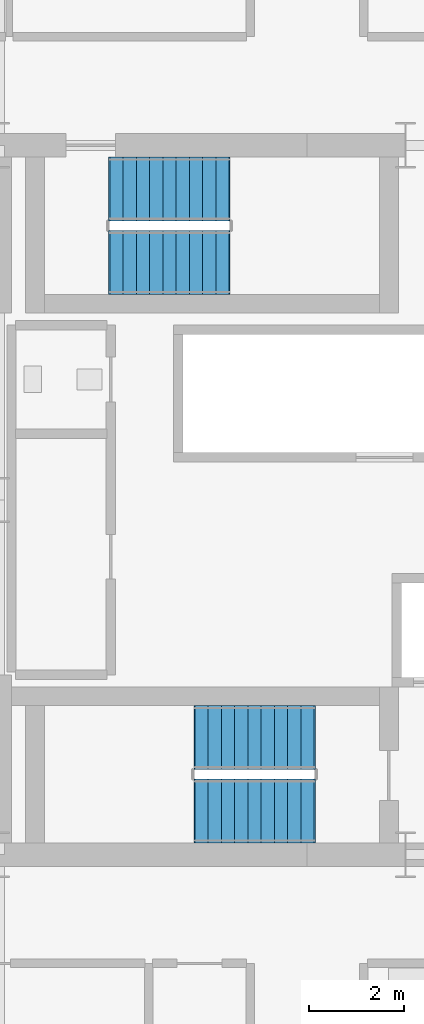
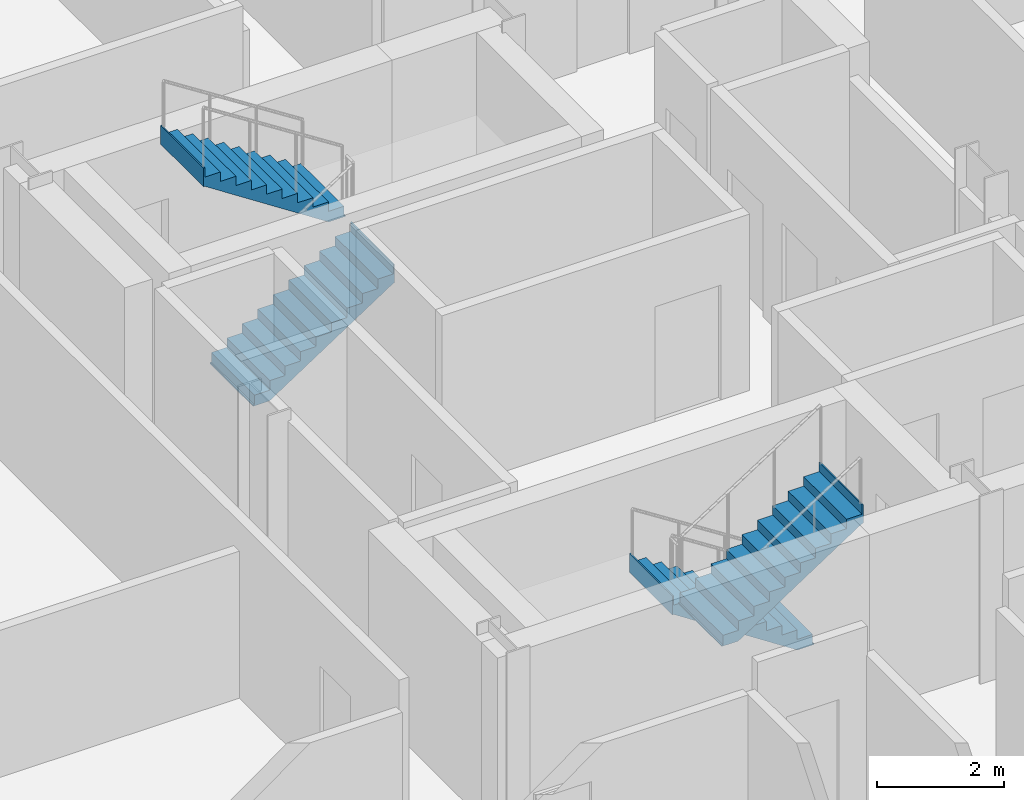
# One storey, part 23 of 25: 4 stair flights, 2 elements without a shape of their own.
"""IFC4 building model written with IfcOpenShell, lengths in metres."""

from ifc_helpers import new_model, si_unit, direction, frame, origin, place, context, subcontext, project, spatial, polyline, outline, extrude, material, type_object, element, aggregate, save


model = new_model("IFC4")

# Units and contexts
model_context = context("Model", 3, precision=1e-05, world=origin(), true_north=direction((0.0, 1.0)))
body_context = subcontext(model_context, "Body", "Model", "MODEL_VIEW")
ifc_project = project(units=[si_unit("LENGTHUNIT", "METRE"), si_unit("AREAUNIT", "SQUARE_METRE"), si_unit("VOLUMEUNIT", "CUBIC_METRE"), si_unit("PLANEANGLEUNIT", "RADIAN"), si_unit("MASSUNIT", "GRAM", prefix="KILO")], contexts=[model_context])

# Site, building, storey
site_placement = place(None, origin())
site = spatial("IfcSite", under=ifc_project, at=site_placement, CompositionType="ELEMENT")
building_placement = place(site_placement, origin())
building = spatial("IfcBuilding", under=site, at=building_placement, Name="Barlavira Tower and Art Museum", CompositionType="ELEMENT")
storey_placement = place(building_placement, frame((0.0, 0.0, 144.0)))
storey = spatial("IfcBuildingStorey", under=building, at=storey_placement, Name="L36", CompositionType="ELEMENT", Elevation=144.0)

# Stair, stair flights
ifc_material_1 = material(Name="Concrete C45", Category="concrete")
stair_type_1 = type_object("IfcStairType", Name="Tower North Dog-Leg Exit Stair Assembly Concrete C45", PredefinedType="TWO_QUARTER_TURN_STAIR", material=ifc_material_1)
stair_1_placement = place(storey_placement, origin())
stair_1 = element("IfcStair", 1, at=stair_1_placement, inside=storey, type_object=stair_type_1, Name="L36 Tower North Exit Stair ST-T2", PredefinedType="TWO_QUARTER_TURN_STAIR")
ifc_material_2 = material(Name="Precast concrete C45", Category="concrete")
stair_flight_type_1 = type_object("IfcStairFlightType", Name="Tower North Dog-Leg Exit Stair Precast Flight 1350 Concrete C45", PredefinedType="STRAIGHT", material=ifc_material_2)
stair_flight_1_placement = place(storey_placement, frame((-4.169921875, 5.02490234375, 0.0), z_axis=(0.0, 0.0, 1.0), x_axis=(1.0, 0.0, 0.0)))
stair_flight_1 = element("IfcStairFlight", 2, at=stair_flight_1_placement, type_object=stair_flight_type_1, Name="ST-T2 flight 1", NumberOfRisers=10, NumberOfTreads=9, PredefinedType="STRAIGHT", RiserHeight=0.18, TreadLength=0.28, context=body_context, shape_type="SweptSolid", body=[
    extrude(outline(polyline([(-0.02490234375, 0.0), (0.0, 0.0), (0.0, 0.179931640625), (0.280029296875, 0.179931640625), (0.280029296875, 0.360107421875), (0.56005859375, 0.360107421875), (0.56005859375, 0.5400390625), (0.840087890625, 0.5400390625), (0.840087890625, 0.719970703125), (1.1201171875, 0.719970703125), (1.1201171875, 0.89990234375), (1.39990234375, 0.89990234375), (1.39990234375, 1.080078125), (1.679931640625, 1.080078125), (1.679931640625, 1.260009765625), (1.9599609375, 1.260009765625), (1.9599609375, 1.43994140625), (2.239990234375, 1.43994140625), (2.239990234375, 1.6201171875), (2.52001953125, 1.6201171875), (2.52001953125, 1.800048828125), (2.544921875, 1.800048828125), (2.544921875, 1.44189453125), (2.52001953125, 1.44189453125), (0.277099609375, -0.02490234375), (-0.02490234375, -0.02490234375), (-0.02490234375, 0.0)])), frame((0.0, 0.675048828125, 0.0), z_axis=(0.0, -1.0, 0.0), x_axis=(1.0, 0.0, 0.0)), (0.0, 0.0, 1.0), 1.35009765625),
])
stair_flight_2_placement = place(storey_placement, frame((-1.64990234375, 6.574951171875, 1.800048828125), z_axis=(0.0, 0.0, 1.0), x_axis=(-1.0, 0.0, 0.0)))
stair_flight_2 = element("IfcStairFlight", 3, at=stair_flight_2_placement, type_object=stair_flight_type_1, Name="ST-T2 flight 2", NumberOfRisers=10, NumberOfTreads=9, PredefinedType="STRAIGHT", RiserHeight=0.18, TreadLength=0.28, context=body_context, shape_type="SweptSolid", body=[
    extrude(outline(polyline([(-0.02490234375, 0.0), (0.0, 0.0), (0.0, 0.179931640625), (0.280029296875, 0.179931640625), (0.280029296875, 0.360107421875), (0.56005859375, 0.360107421875), (0.56005859375, 0.5400390625), (0.840087890625, 0.5400390625), (0.840087890625, 0.719970703125), (1.1201171875, 0.719970703125), (1.1201171875, 0.89990234375), (1.39990234375, 0.89990234375), (1.39990234375, 1.080078125), (1.679931640625, 1.080078125), (1.679931640625, 1.260009765625), (1.9599609375, 1.260009765625), (1.9599609375, 1.43994140625), (2.239990234375, 1.43994140625), (2.239990234375, 1.6201171875), (2.52001953125, 1.6201171875), (2.52001953125, 1.800048828125), (2.544921875, 1.800048828125), (2.544921875, 1.44189453125), (2.52001953125, 1.44189453125), (0.277099609375, -0.02490234375), (-0.02490234375, -0.02490234375), (-0.02490234375, 0.0)])), frame((0.0, 0.675048828125, 0.0), z_axis=(0.0, -1.0, 0.0), x_axis=(1.0, 0.0, 0.0)), (0.0, 0.0, 1.0), 1.35009765625),
])
aggregate(stair_1, [stair_flight_1, stair_flight_2])

stair_type_2 = type_object("IfcStairType", Name="Tower South Dog-Leg Exit Stair Assembly Concrete C45", PredefinedType="TWO_QUARTER_TURN_STAIR", material=ifc_material_1)
stair_2_placement = place(storey_placement, origin())
stair_2 = element("IfcStair", 4, at=stair_2_placement, inside=storey, type_object=stair_type_2, Name="L36 Tower South Exit Stair ST-T1", PredefinedType="TWO_QUARTER_TURN_STAIR")
stair_flight_type_2 = type_object("IfcStairFlightType", Name="Tower South Dog-Leg Exit Stair Precast Flight 1350 Concrete C45", PredefinedType="STRAIGHT", material=ifc_material_2)
stair_flight_3_placement = place(storey_placement, frame((0.14990234375, -5.02490234375, 0.0), z_axis=(0.0, 0.0, 1.0), x_axis=(-1.0, 0.0, 0.0)))
stair_flight_3 = element("IfcStairFlight", 5, at=stair_flight_3_placement, type_object=stair_flight_type_2, Name="ST-T1 flight 1", NumberOfRisers=10, NumberOfTreads=9, PredefinedType="STRAIGHT", RiserHeight=0.18, TreadLength=0.28, context=body_context, shape_type="SweptSolid", body=[
    extrude(outline(polyline([(-0.02490234375, 0.0), (0.0, 0.0), (0.0, 0.179931640625), (0.280029296875, 0.179931640625), (0.280029296875, 0.360107421875), (0.56005859375, 0.360107421875), (0.56005859375, 0.5400390625), (0.840087890625, 0.5400390625), (0.840087890625, 0.719970703125), (1.1201171875, 0.719970703125), (1.1201171875, 0.89990234375), (1.39990234375, 0.89990234375), (1.39990234375, 1.080078125), (1.679931640625, 1.080078125), (1.679931640625, 1.260009765625), (1.9599609375, 1.260009765625), (1.9599609375, 1.43994140625), (2.239990234375, 1.43994140625), (2.239990234375, 1.6201171875), (2.52001953125, 1.6201171875), (2.52001953125, 1.800048828125), (2.544921875, 1.800048828125), (2.544921875, 1.44189453125), (2.52001953125, 1.44189453125), (0.277099609375, -0.02490234375), (-0.02490234375, -0.02490234375), (-0.02490234375, 0.0)])), frame((0.0, 0.675048828125, 0.0), z_axis=(0.0, -1.0, 0.0), x_axis=(1.0, 0.0, 0.0)), (0.0, 0.0, 1.0), 1.35009765625),
])
stair_flight_4_placement = place(storey_placement, frame((-2.3701171875, -6.574951171875, 1.800048828125), z_axis=(0.0, 0.0, 1.0), x_axis=(1.0, 0.0, 0.0)))
stair_flight_4 = element("IfcStairFlight", 6, at=stair_flight_4_placement, type_object=stair_flight_type_2, Name="ST-T1 flight 2", NumberOfRisers=10, NumberOfTreads=9, PredefinedType="STRAIGHT", RiserHeight=0.18, TreadLength=0.28, context=body_context, shape_type="SweptSolid", body=[
    extrude(outline(polyline([(-0.02490234375, 0.0), (0.0, 0.0), (0.0, 0.179931640625), (0.280029296875, 0.179931640625), (0.280029296875, 0.360107421875), (0.56005859375, 0.360107421875), (0.56005859375, 0.5400390625), (0.840087890625, 0.5400390625), (0.840087890625, 0.719970703125), (1.1201171875, 0.719970703125), (1.1201171875, 0.89990234375), (1.39990234375, 0.89990234375), (1.39990234375, 1.080078125), (1.679931640625, 1.080078125), (1.679931640625, 1.260009765625), (1.9599609375, 1.260009765625), (1.9599609375, 1.43994140625), (2.239990234375, 1.43994140625), (2.239990234375, 1.6201171875), (2.52001953125, 1.6201171875), (2.52001953125, 1.800048828125), (2.544921875, 1.800048828125), (2.544921875, 1.44189453125), (2.52001953125, 1.44189453125), (0.277099609375, -0.02490234375), (-0.02490234375, -0.02490234375), (-0.02490234375, 0.0)])), frame((0.0, 0.675048828125, 0.0), z_axis=(0.0, -1.0, 0.0), x_axis=(1.0, 0.0, 0.0)), (0.0, 0.0, 1.0), 1.35009765625),
])
aggregate(stair_2, [stair_flight_3, stair_flight_4])

save(model, "model.ifc")
